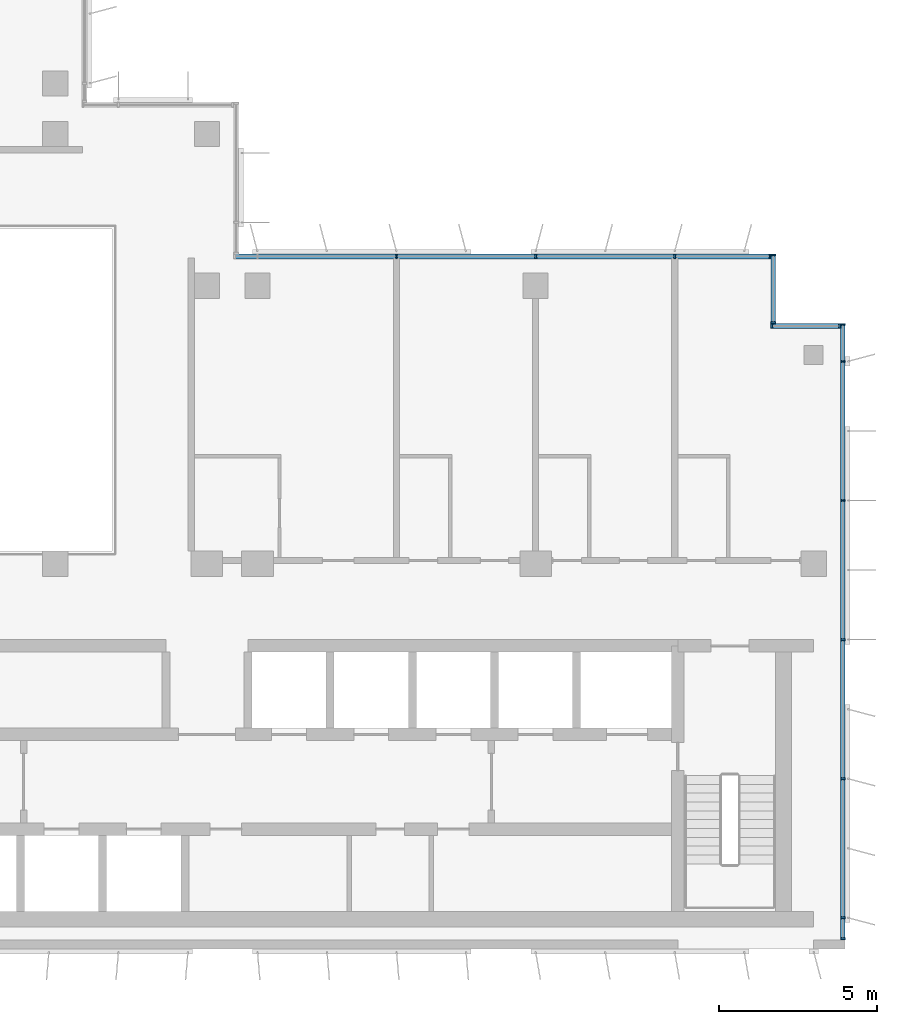
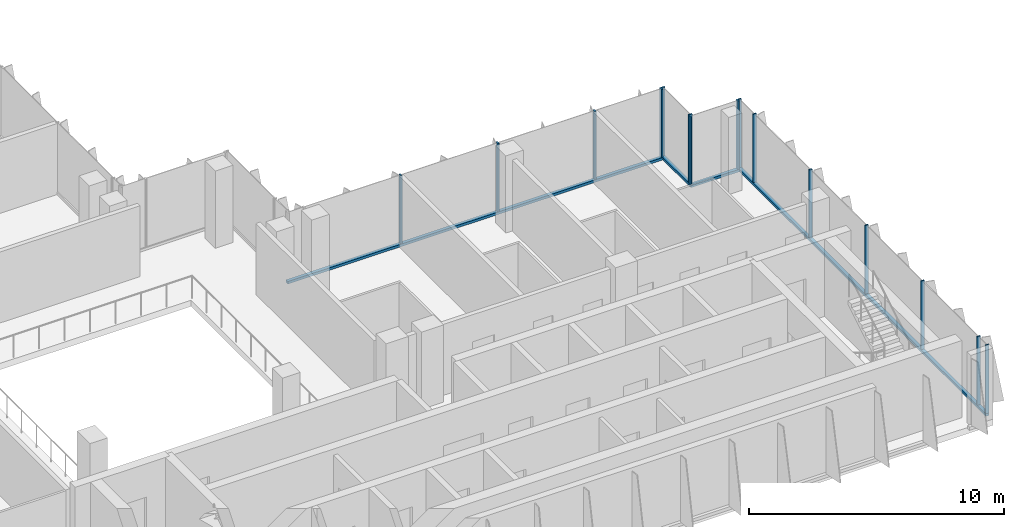
# One storey, part 3 of 15: 19 members, 4 elements without a shape of their own.
"""IFC4 building model written with IfcOpenShell, lengths in metres."""

from ifc_helpers import new_model, si_unit, direction, frame, origin, origin_2d, place, context, subcontext, project, spatial, rectangle, extrude, source, transform, mapped, material, material_profile, profile_set, type_object, element, aggregate, save


model = new_model("IFC4")

# Units and contexts
model_context = context("Model", 3, precision=1e-05, world=origin(), true_north=direction((0.0, 1.0)))
body_context = subcontext(model_context, "Body", "Model", "MODEL_VIEW")
ifc_project = project(units=[si_unit("LENGTHUNIT", "METRE"), si_unit("AREAUNIT", "SQUARE_METRE"), si_unit("VOLUMEUNIT", "CUBIC_METRE"), si_unit("PLANEANGLEUNIT", "RADIAN"), si_unit("MASSUNIT", "GRAM", prefix="KILO")], contexts=[model_context])

# Site, building, storey
site_placement = place(None, origin())
site = spatial("IfcSite", under=ifc_project, at=site_placement, CompositionType="ELEMENT")
building_placement = place(site_placement, origin())
building = spatial("IfcBuilding", under=site, at=building_placement, Name="Kemantara Hotel Tower", CompositionType="ELEMENT")
storey_placement = place(building_placement, frame((0.0, 0.0, 301.800048828125)))
storey = spatial("IfcBuildingStorey", under=building, at=storey_placement, Name="L76", CompositionType="ELEMENT", Elevation=301.800048828125)

# Curtain wall, member
ifc_material_1 = material(Name="Low-E tinted double insulated glass 36 mm", Category="glass")
curtain_wall_type = type_object("IfcCurtainWallType", Name="TOWER CURTAIN WALL, FRONT FACES", PredefinedType="USERDEFINED", material=ifc_material_1)
curtain_wall_1_placement = place(storey_placement, origin())
curtain_wall_1 = element("IfcCurtainWall", 1, at=curtain_wall_1_placement, inside=storey, type_object=curtain_wall_type, Name="CW4 L76 T4-R09-1", ObjectType="TOWER CURTAIN WALL, FRONT FACES", PredefinedType="USERDEFINED")
ifc_material_2 = material(Name="Aluminium 6063-T6 bronze anodised", Category="aluminium")
ifc_material_profile_1 = material_profile(ifc_material_2, rectangle(XDim=0.14990234375, YDim=0.1201171875, at=origin_2d()), Name="TOWER CURTAIN WALL, FRONT FACES TRANSOM")
ifc_profile_set_1 = profile_set([ifc_material_profile_1], Name="Aluminium 6063-T6 bronze anodised")
member_type_1 = type_object("IfcMemberType", Name="TOWER CURTAIN WALL, FRONT FACES TRANSOM", PredefinedType="USERDEFINED", material=ifc_profile_set_1)
member_1_placement = place(storey_placement, frame((45.925048828125, 0.300048828125, 0.06005859375), z_axis=(0.0, 1.0, 0.0), x_axis=(-1.0, 0.0, 0.0)))
member_1 = element("IfcMember", 2, at=member_1_placement, type_object=member_type_1, Name="CW4 sill transom T4-R09-1", ObjectType="TRANSOM", PredefinedType="USERDEFINED", context=body_context, shape_type="SweptSolid", body=[
    extrude(rectangle(XDim=0.14990234375, YDim=0.1201171875, at=origin_2d()), origin(), (0.0, 0.0, 1.0), 19.5),
])

curtain_wall_2_placement = place(storey_placement, origin())
curtain_wall_2 = element("IfcCurtainWall", 3, at=curtain_wall_2_placement, inside=storey, type_object=curtain_wall_type, Name="CW4 L76 T4-R12-1", ObjectType="TOWER CURTAIN WALL, FRONT FACES", PredefinedType="USERDEFINED")
member_2_placement = place(storey_placement, frame((43.64990234375, 21.925048828125, 0.06005859375), z_axis=(-1.0, 0.0, 0.0), x_axis=(0.0, -1.0, 0.0)))
member_2 = element("IfcMember", 4, at=member_2_placement, type_object=member_type_1, Name="CW4 sill transom T4-R12-1", ObjectType="TRANSOM", PredefinedType="USERDEFINED", context=body_context, shape_type="SweptSolid", body=[
    extrude(rectangle(XDim=0.14990234375, YDim=0.1201171875, at=origin_2d()), origin(), (0.0, 0.0, 1.0), 17.0),
])

curtain_wall_3_placement = place(storey_placement, origin())
curtain_wall_3 = element("IfcCurtainWall", 5, at=curtain_wall_3_placement, inside=storey, type_object=curtain_wall_type, Name="CW4 L76 T4-R10-1", ObjectType="TOWER CURTAIN WALL, FRONT FACES", PredefinedType="USERDEFINED")
member_3_placement = place(storey_placement, frame((45.85009765625, 19.72509765625, 0.06005859375), z_axis=(-1.0, 0.0, 0.0), x_axis=(0.0, -1.0, 0.0)))
member_3 = element("IfcMember", 6, at=member_3_placement, type_object=member_type_1, Name="CW4 sill transom T4-R10-1", ObjectType="TRANSOM", PredefinedType="USERDEFINED", context=body_context, shape_type="SweptSolid", body=[
    extrude(rectangle(XDim=0.14990234375, YDim=0.1201171875, at=origin_2d()), origin(), (0.0, 0.0, 1.0), 2.2001953125),
])

curtain_wall_4_placement = place(storey_placement, origin())
curtain_wall_4 = element("IfcCurtainWall", 7, at=curtain_wall_4_placement, inside=storey, type_object=curtain_wall_type, Name="CW4 L76 T4-R11-1", ObjectType="TOWER CURTAIN WALL, FRONT FACES", PredefinedType="USERDEFINED")
member_4_placement = place(storey_placement, frame((43.72509765625, 19.800048828125, 0.06005859375), z_axis=(0.0, 1.0, 0.0), x_axis=(-1.0, 0.0, 0.0)))
member_4 = element("IfcMember", 8, at=member_4_placement, type_object=member_type_1, Name="CW4 sill transom T4-R11-1", ObjectType="TRANSOM", PredefinedType="USERDEFINED", context=body_context, shape_type="SweptSolid", body=[
    extrude(rectangle(XDim=0.14990234375, YDim=0.1201171875, at=origin_2d()), origin(), (0.0, 0.0, 1.0), 2.199951171875),
])

# Member
ifc_material_profile_2 = material_profile(ifc_material_2, rectangle(XDim=0.14990234375, YDim=0.06005859375, at=origin_2d()), Name="TOWER CURTAIN WALL, FRONT FACES MULLION")
ifc_profile_set_2 = profile_set([ifc_material_profile_2], Name="Aluminium 6063-T6 bronze anodised")
member_type_2 = type_object("IfcMemberType", Name="TOWER CURTAIN WALL, FRONT FACES MULLION", PredefinedType="MULLION", material=ifc_profile_set_2)
shared_shape = source(origin(), body_context, "Body", "SweptSolid", [
    extrude(rectangle(XDim=0.14990234375, YDim=0.06005859375, at=origin_2d()), origin(), (0.0, 0.0, 1.0), 3.280029296875),
])
member_5_placement = place(storey_placement, frame((45.925048828125, 0.330078125, 0.119873046875), z_axis=(0.0, 0.0, 1.0), x_axis=(-1.0, 0.0, 0.0)))
member_5 = element("IfcMember", 9, at=member_5_placement, type_object=member_type_2, Name="CW4 mullion T4-R09-1.1", PredefinedType="MULLION", context=body_context, shape_type="MappedRepresentation", body=[
    mapped(shared_shape, transform((0.0, 0.0, 0.0))),
])

member_6_placement = place(storey_placement, frame((45.925048828125, 1.0, 0.119873046875), z_axis=(0.0, 0.0, 1.0), x_axis=(-1.0, 0.0, 0.0)))
member_6 = element("IfcMember", 10, at=member_6_placement, type_object=member_type_2, Name="CW4 mullion T4-R09-1.2", PredefinedType="MULLION", context=body_context, shape_type="MappedRepresentation", body=[
    mapped(shared_shape, transform((0.0, 0.0, 0.0))),
])

member_7_placement = place(storey_placement, frame((45.925048828125, 5.39990234375, 0.119873046875), z_axis=(0.0, 0.0, 1.0), x_axis=(-1.0, 0.0, 0.0)))
member_7 = element("IfcMember", 11, at=member_7_placement, type_object=member_type_2, Name="CW4 mullion T4-R09-1.3", PredefinedType="MULLION", context=body_context, shape_type="MappedRepresentation", body=[
    mapped(shared_shape, transform((0.0, 0.0, 0.0))),
])

member_8_placement = place(storey_placement, frame((45.925048828125, 9.800048828125, 0.119873046875), z_axis=(0.0, 0.0, 1.0), x_axis=(-1.0, 0.0, 0.0)))
member_8 = element("IfcMember", 12, at=member_8_placement, type_object=member_type_2, Name="CW4 mullion T4-R09-1.4", PredefinedType="MULLION", context=body_context, shape_type="MappedRepresentation", body=[
    mapped(shared_shape, transform((0.0, 0.0, 0.0))),
])

member_9_placement = place(storey_placement, frame((45.925048828125, 14.199951171875, 0.119873046875), z_axis=(0.0, 0.0, 1.0), x_axis=(-1.0, 0.0, 0.0)))
member_9 = element("IfcMember", 13, at=member_9_placement, type_object=member_type_2, Name="CW4 mullion T4-R09-1.5", PredefinedType="MULLION", context=body_context, shape_type="MappedRepresentation", body=[
    mapped(shared_shape, transform((0.0, 0.0, 0.0))),
])

member_10_placement = place(storey_placement, frame((45.925048828125, 18.60009765625, 0.119873046875), z_axis=(0.0, 0.0, 1.0), x_axis=(-1.0, 0.0, 0.0)))
member_10 = element("IfcMember", 14, at=member_10_placement, type_object=member_type_2, Name="CW4 mullion T4-R09-1.6", PredefinedType="MULLION", context=body_context, shape_type="MappedRepresentation", body=[
    mapped(shared_shape, transform((0.0, 0.0, 0.0))),
])

member_11_placement = place(storey_placement, frame((45.925048828125, 19.77001953125, 0.119873046875), z_axis=(0.0, 0.0, 1.0), x_axis=(-1.0, 0.0, 0.0)))
member_11 = element("IfcMember", 15, at=member_11_placement, type_object=member_type_2, Name="CW4 mullion T4-R09-1.7", PredefinedType="MULLION", context=body_context, shape_type="MappedRepresentation", body=[
    mapped(shared_shape, transform((0.0, 0.0, 0.0))),
])

aggregate(curtain_wall_1, [member_1, member_5, member_6, member_7, member_8, member_9, member_10, member_11])

member_12_placement = place(storey_placement, frame((43.6201171875, 21.925048828125, 0.119873046875), z_axis=(0.0, 0.0, 1.0), x_axis=(0.0, -1.0, 0.0)))
member_12 = element("IfcMember", 16, at=member_12_placement, type_object=member_type_2, Name="CW4 mullion T4-R12-1.1", PredefinedType="MULLION", context=body_context, shape_type="MappedRepresentation", body=[
    mapped(shared_shape, transform((0.0, 0.0, 0.0))),
])

member_13_placement = place(storey_placement, frame((40.60009765625, 21.925048828125, 0.119873046875), z_axis=(0.0, 0.0, 1.0), x_axis=(0.0, -1.0, 0.0)))
member_13 = element("IfcMember", 17, at=member_13_placement, type_object=member_type_2, Name="CW4 mullion T4-R12-1.2", PredefinedType="MULLION", context=body_context, shape_type="MappedRepresentation", body=[
    mapped(shared_shape, transform((0.0, 0.0, 0.0))),
])

member_14_placement = place(storey_placement, frame((36.199951171875, 21.925048828125, 0.119873046875), z_axis=(0.0, 0.0, 1.0), x_axis=(0.0, -1.0, 0.0)))
member_14 = element("IfcMember", 18, at=member_14_placement, type_object=member_type_2, Name="CW4 mullion T4-R12-1.3", PredefinedType="MULLION", context=body_context, shape_type="MappedRepresentation", body=[
    mapped(shared_shape, transform((0.0, 0.0, 0.0))),
])

member_15_placement = place(storey_placement, frame((31.800048828125, 21.925048828125, 0.119873046875), z_axis=(0.0, 0.0, 1.0), x_axis=(0.0, -1.0, 0.0)))
member_15 = element("IfcMember", 19, at=member_15_placement, type_object=member_type_2, Name="CW4 mullion T4-R12-1.4", PredefinedType="MULLION", context=body_context, shape_type="MappedRepresentation", body=[
    mapped(shared_shape, transform((0.0, 0.0, 0.0))),
])

aggregate(curtain_wall_2, [member_2, member_12, member_13, member_14, member_15])

member_16_placement = place(storey_placement, frame((45.820068359375, 19.72509765625, 0.119873046875), z_axis=(0.0, 0.0, 1.0), x_axis=(0.0, -1.0, 0.0)))
member_16 = element("IfcMember", 20, at=member_16_placement, type_object=member_type_2, Name="CW4 mullion T4-R10-1.1", PredefinedType="MULLION", context=body_context, shape_type="MappedRepresentation", body=[
    mapped(shared_shape, transform((0.0, 0.0, 0.0))),
])

member_17_placement = place(storey_placement, frame((43.679931640625, 19.72509765625, 0.119873046875), z_axis=(0.0, 0.0, 1.0), x_axis=(0.0, -1.0, 0.0)))
member_17 = element("IfcMember", 21, at=member_17_placement, type_object=member_type_2, Name="CW4 mullion T4-R10-1.2", PredefinedType="MULLION", context=body_context, shape_type="MappedRepresentation", body=[
    mapped(shared_shape, transform((0.0, 0.0, 0.0))),
])

aggregate(curtain_wall_3, [member_3, member_16, member_17])

member_18_placement = place(storey_placement, frame((43.72509765625, 19.830078125, 0.119873046875), z_axis=(0.0, 0.0, 1.0), x_axis=(-1.0, 0.0, 0.0)))
member_18 = element("IfcMember", 22, at=member_18_placement, type_object=member_type_2, Name="CW4 mullion T4-R11-1.1", PredefinedType="MULLION", context=body_context, shape_type="MappedRepresentation", body=[
    mapped(shared_shape, transform((0.0, 0.0, 0.0))),
])

member_19_placement = place(storey_placement, frame((43.72509765625, 21.969970703125, 0.119873046875), z_axis=(0.0, 0.0, 1.0), x_axis=(-1.0, 0.0, 0.0)))
member_19 = element("IfcMember", 23, at=member_19_placement, type_object=member_type_2, Name="CW4 mullion T4-R11-1.2", PredefinedType="MULLION", context=body_context, shape_type="MappedRepresentation", body=[
    mapped(shared_shape, transform((0.0, 0.0, 0.0))),
])

aggregate(curtain_wall_4, [member_4, member_18, member_19])

save(model, "model.ifc")
